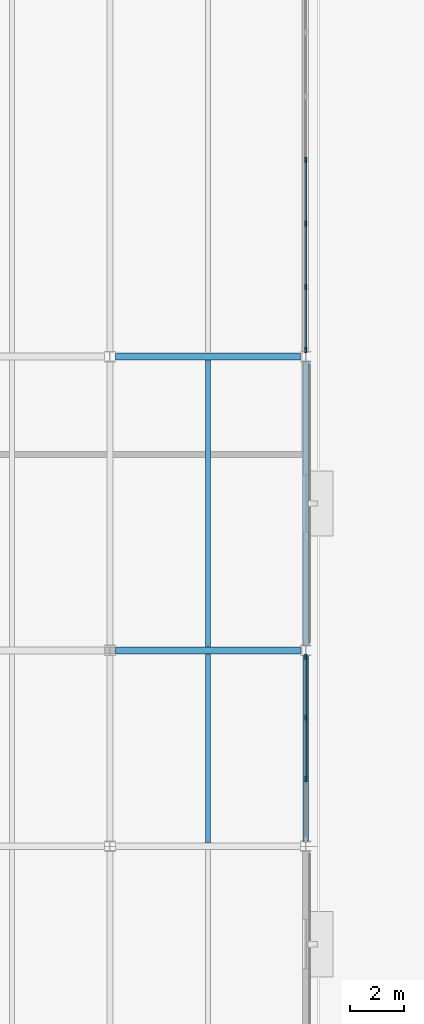
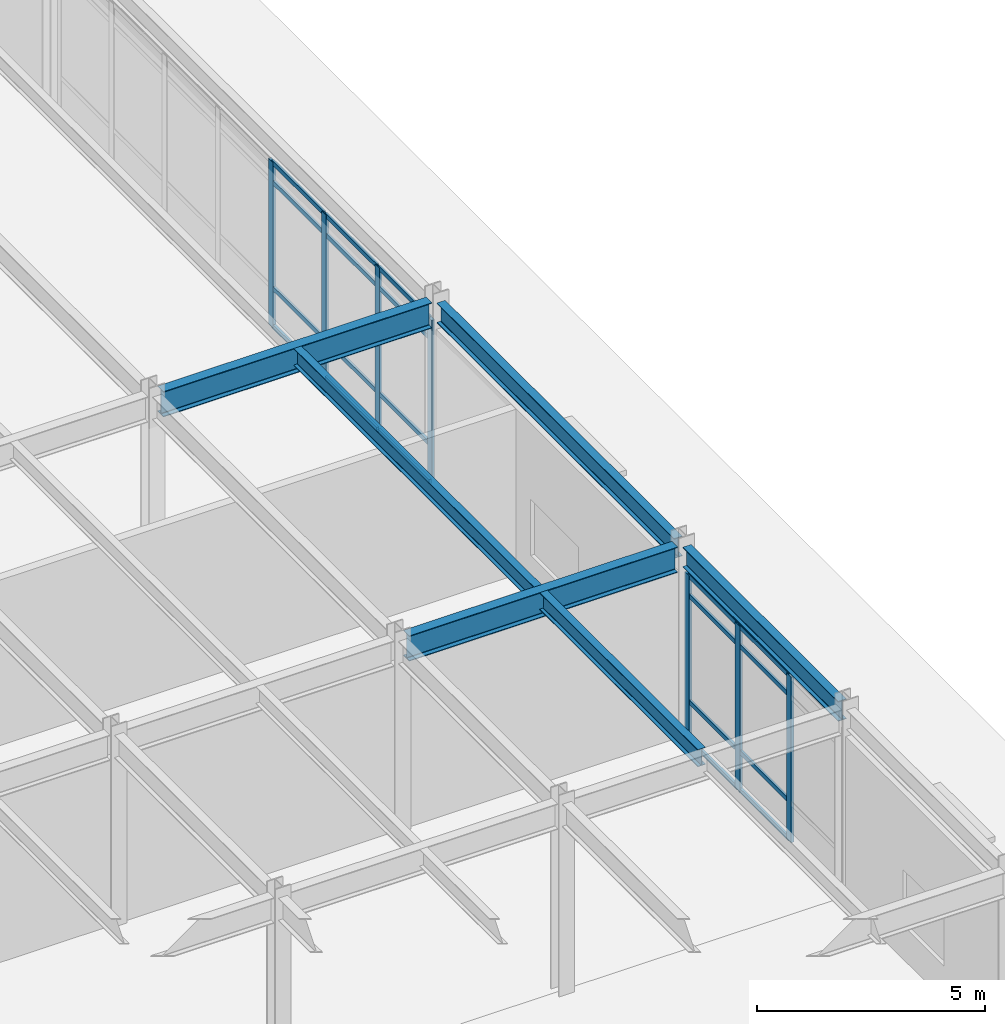
# One storey, part 48 of 104: 27 members, 6 beams, 2 elements without a shape of their own.
"""IFC4 building model written with IfcOpenShell, lengths in metres."""

import ifcopenshell
import ifcopenshell.guid

model = None  # the IFC model being written
_history = None  # IfcOwnerHistory: only IFC2X3 demands one
_inside = {}  # id of a spatial element -> (the spatial element, [elements in it])
_under = {}  # id of a project, library or spatial element -> (it, [spatial elements below it])
_declared = {}  # id of a project -> (the project, [libraries it declares])
_typed = {}  # id of a type object -> (the type object, [elements of that type])
_made_of = {}  # id of a material, layer set ... -> (it, [elements and type objects made of it])


def new_model(schema):
    """Start an empty IFC model of exactly this schema.

    Asked for "IFC4X3", IfcOpenShell would pick the latest addendum, in which some entities
    have other attributes; the version numbers below select the first issue.
    IFC2X3 requires an IfcOwnerHistory on every rooted entity: one is made here for all.
    """
    global model, _history
    if schema == "IFC4X3":
        model = ifcopenshell.file(schema_version=(4, 3, 0, 0))
    else:
        model = ifcopenshell.file(schema=schema)
    _inside.clear()
    _under.clear()
    _declared.clear()
    _typed.clear()
    _made_of.clear()
    _history = None
    if model.schema == "IFC2X3":
        org = make("IfcOrganization", Name="unknown")
        user = make(
            "IfcPersonAndOrganization",
            ThePerson=make("IfcPerson", FamilyName="unknown"),
            TheOrganization=org,
        )
        app = make(
            "IfcApplication",
            ApplicationDeveloper=org,
            Version="unknown",
            ApplicationFullName="unknown",
            ApplicationIdentifier="unknown",
        )
        _history = make(
            "IfcOwnerHistory",
            OwningUser=user,
            OwningApplication=app,
            ChangeAction="ADDED",
            CreationDate=0,
        )
    return model


def make(cls, **values):
    """One entity of the class cls with the attributes given. An attribute that is None is left unset."""
    return model.create_entity(
        cls, **{name: value for name, value in values.items() if value is not None}
    )


def rooted(cls, **values):
    """An entity with a GlobalId (a new one), such as an element, a storey or a relation."""
    return make(cls, GlobalId=ifcopenshell.guid.new(), OwnerHistory=_history, **values)


def si_unit(unit_type, name, prefix=None):
    """IfcSIUnit, for example si_unit("LENGTHUNIT", "METRE", prefix="MILLI")."""
    return make("IfcSIUnit", UnitType=unit_type, Prefix=prefix, Name=name)


def assignment(units):
    """IfcUnitAssignment: the units of a project."""
    return None if units is None else make("IfcUnitAssignment", Units=units)


def point(xyz):
    """IfcCartesianPoint."""
    return None if xyz is None else make("IfcCartesianPoint", Coordinates=xyz)


def direction(xyz):
    """IfcDirection."""
    return None if xyz is None else make("IfcDirection", DirectionRatios=xyz)


def frame(location, z_axis=None, x_axis=None):
    """IfcAxis2Placement3D, a coordinate frame: its origin and axes. An axis left out is left unset."""
    return make(
        "IfcAxis2Placement3D",
        Location=point(location),
        Axis=direction(z_axis),
        RefDirection=direction(x_axis),
    )


def frame_2d(location, x_axis=None):
    """IfcAxis2Placement2D, a coordinate frame in the plane: its origin and x axis."""
    return make(
        "IfcAxis2Placement2D", Location=point(location), RefDirection=direction(x_axis)
    )


def origin():
    """The frame at (0, 0, 0) with its axes left unset."""
    return frame((0.0, 0.0, 0.0))


def origin_2d():
    """The frame at (0, 0) in the plane with its x axis left unset."""
    return frame_2d((0.0, 0.0))


def place(relative_to, where):
    """IfcLocalPlacement: puts the frame where relative to a parent placement (None: the world)."""
    return make(
        "IfcLocalPlacement", PlacementRelTo=relative_to, RelativePlacement=where
    )


def context(
    kind, dimensions, precision=None, world=None, true_north=None, identifier=None
):
    """IfcGeometricRepresentationContext, for example the 3D "Model" context."""
    return make(
        "IfcGeometricRepresentationContext",
        ContextIdentifier=identifier,
        ContextType=kind,
        CoordinateSpaceDimension=dimensions,
        Precision=precision,
        WorldCoordinateSystem=world,
        TrueNorth=true_north,
    )


def subcontext(parent, identifier, kind, view, scale=None):
    """IfcGeometricRepresentationSubContext, for example "Body" below "Model"."""
    return make(
        "IfcGeometricRepresentationSubContext",
        ContextIdentifier=identifier,
        ContextType=kind,
        ParentContext=parent,
        TargetScale=scale,
        TargetView=view,
    )


def project(units=None, contexts=None):
    """IfcProject with its units and contexts."""
    return rooted(
        "IfcProject",
        Name="project",
        RepresentationContexts=contexts,
        UnitsInContext=assignment(units),
    )


def spatial(cls, under=None, at=None, **own):
    """A site, building, storey or space (cls), placed at a placement, below another one or the project."""
    s = rooted(cls, ObjectPlacement=at, **own)
    if under is not None:
        _under.setdefault(under.id(), (under, []))[1].append(s)
    return s


def profile(cls, at=None, kind="AREA", **sizes):
    """A parametric profile (cls). Its sizes go by their IFC names, for example OverallWidth=200.0."""
    return make(cls, ProfileType=kind, Position=at, **sizes)


def rectangle(**sizes):
    """IfcRectangleProfileDef."""
    return profile("IfcRectangleProfileDef", **sizes)


def i_section(**sizes):
    """IfcIShapeProfileDef."""
    return profile("IfcIShapeProfileDef", **sizes)


def extrude(swept, where, along, depth):
    """IfcExtrudedAreaSolid: the profile swept, set in the frame where, extruded along a direction by depth."""
    return make(
        "IfcExtrudedAreaSolid",
        SweptArea=swept,
        Position=where,
        ExtrudedDirection=direction(along),
        Depth=depth,
    )


def shape(context_of_items, identifier, shape_type, items):
    """IfcShapeRepresentation: the items that make up one representation, for example the "Body"."""
    return make(
        "IfcShapeRepresentation",
        ContextOfItems=context_of_items,
        RepresentationIdentifier=identifier,
        RepresentationType=shape_type,
        Items=items,
    )


def material(Name=None, Category=None):
    """IfcMaterial."""
    return make("IfcMaterial", Name=Name, Category=Category)


def material_profile(
    of_material, cross_section, Name=None, Category=None, Priority=None
):
    """IfcMaterialProfile: a cross section and its material."""
    return make(
        "IfcMaterialProfile",
        Name=Name,
        Material=of_material,
        Profile=cross_section,
        Priority=Priority,
        Category=Category,
    )


def profile_set(profiles, Name=None, composite=None):
    """IfcMaterialProfileSet."""
    return make(
        "IfcMaterialProfileSet",
        Name=Name,
        MaterialProfiles=profiles,
        CompositeProfile=composite,
    )


def made_of(thing, what):
    """Note that an element or type object is made of a material, layer set ...; save() writes the relation."""
    if what is not None:
        _made_of.setdefault(what.id(), (what, []))[1].append(thing)
    return thing


def type_object(cls, material=None, **own):
    """A type object (cls), such as IfcWallType, which elements share."""
    return made_of(rooted(cls, **own), material)


def element(
    cls,
    number,
    at=None,
    inside=None,
    cuts=None,
    type_object=None,
    material=None,
    context=None,
    identifier="Body",
    shape_type=None,
    held_by="IfcProductDefinitionShape",
    body=None,
    shapes=None,
    **own,
):
    """One element of the class cls, such as IfcWall. Its Tag is "e" and its number.

    at: its placement. inside: the storey or other place that contains it. cuts: it is an
    opening in that element (IfcRelVoidsElement). A single representation is given by context,
    identifier, shape_type and body (its items); several are given by shapes. held_by: the class
    of the entity that holds the representations. save() writes the other relations.
    """
    e = rooted(cls, Tag="e%d" % number, ObjectPlacement=at, **own)
    if body is not None:
        shapes = [shape(context, identifier, shape_type, body)]
    if shapes is not None:
        e.Representation = make(held_by, Representations=shapes)
    if inside is not None:
        _inside.setdefault(inside.id(), (inside, []))[1].append(e)
    if cuts is not None:
        rooted(
            "IfcRelVoidsElement", RelatingBuildingElement=cuts, RelatedOpeningElement=e
        )
    if type_object is not None:
        _typed.setdefault(type_object.id(), (type_object, []))[1].append(e)
    return made_of(e, material)


def aggregate(whole, parts):
    """IfcRelAggregates: a whole, such as a stair, and the parts it consists of."""
    return rooted("IfcRelAggregates", RelatingObject=whole, RelatedObjects=parts)


def save(model, path):
    """Write the relations noted so far, then the file.

    IfcRelAggregates (storeys below a building ...), IfcRelContainedInSpatialStructure (elements
    in a storey), IfcRelDefinesByType, IfcRelAssociatesMaterial and IfcRelDeclares: one each for
    every whole, place, type object, material and project.
    """
    for whole, parts in _under.values():
        aggregate(whole, parts)
    for where, things in _inside.values():
        rooted(
            "IfcRelContainedInSpatialStructure",
            RelatedElements=things,
            RelatingStructure=where,
        )
    for kind, things in _typed.values():
        rooted("IfcRelDefinesByType", RelatedObjects=things, RelatingType=kind)
    for what, things in _made_of.values():
        rooted("IfcRelAssociatesMaterial", RelatedObjects=things, RelatingMaterial=what)
    for by, libraries in _declared.values():
        rooted("IfcRelDeclares", RelatingContext=by, RelatedDefinitions=libraries)
    model.write(path)


model = new_model("IFC4")

# Units and contexts
model_context = context("Model", 3, precision=1e-05, world=origin(), true_north=direction((0.0, 1.0)))
body_context = subcontext(model_context, "Body", "Model", "MODEL_VIEW")
ifc_project = project(units=[si_unit("LENGTHUNIT", "METRE"), si_unit("AREAUNIT", "SQUARE_METRE"), si_unit("VOLUMEUNIT", "CUBIC_METRE"), si_unit("PLANEANGLEUNIT", "RADIAN"), si_unit("MASSUNIT", "GRAM", prefix="KILO")], contexts=[model_context])

# Site, building, storey
site_placement = place(None, origin())
site = spatial("IfcSite", under=ifc_project, at=site_placement, CompositionType="ELEMENT")
building_placement = place(site_placement, origin())
building = spatial("IfcBuilding", under=site, at=building_placement, Name="Vaelcorin Mobility Hub", CompositionType="ELEMENT")
storey_placement = place(building_placement, origin())
storey = spatial("IfcBuildingStorey", under=building, at=storey_placement, Name="L00", CompositionType="ELEMENT", Elevation=0.0)

# Beams
ifc_material_1 = material(Name="Steel ASTM A992 Grade 50", Category="steel")
ifc_material_profile_1 = material_profile(ifc_material_1, i_section(OverallWidth=0.19091796875, OverallDepth=0.4599609375, WebThickness=0.010009765625, FlangeThickness=0.01611328125, FilletRadius=0.012939453125, at=origin_2d()), Name="W18X55")
ifc_profile_set_1 = profile_set([ifc_material_profile_1], Name="Steel ASTM A992 Grade 50")
beam_type_1 = type_object("IfcBeamType", Name="BM-W18X55", PredefinedType="JOIST", material=ifc_profile_set_1)
beam_1_placement = place(storey_placement, frame((200.39990234375, 42.125, 4.909912109375), z_axis=(0.0, 1.0, 0.0), x_axis=(-1.0, 0.0, 0.0)))
element("IfcBeam", 1, at=beam_1_placement, inside=storey, type_object=beam_type_1, Name="L00 Beam V5-L00-J-07-06-1", PredefinedType="JOIST", context=body_context, shape_type="SweptSolid", body=[
    extrude(i_section(OverallWidth=0.19091796875, OverallDepth=0.4599609375, WebThickness=0.010009765625, FlangeThickness=0.01611328125, FilletRadius=0.012939453125, at=origin_2d()), origin(), (0.0, 0.0, 1.0), 6.949951171875),
])
beam_2_placement = place(storey_placement, frame((200.39990234375, 49.324951171875, 4.909912109375), z_axis=(0.0, 1.0, 0.0), x_axis=(-1.0, 0.0, 0.0)))
element("IfcBeam", 2, at=beam_2_placement, inside=storey, type_object=beam_type_1, Name="L00 Beam V5-L00-J-07-07-1", PredefinedType="JOIST", context=body_context, shape_type="SweptSolid", body=[
    extrude(i_section(OverallWidth=0.19091796875, OverallDepth=0.4599609375, WebThickness=0.010009765625, FlangeThickness=0.01611328125, FilletRadius=0.012939453125, at=origin_2d()), origin(), (0.0, 0.0, 1.0), 10.550048828125),
])
ifc_material_profile_2 = material_profile(ifc_material_1, i_section(OverallWidth=0.2099609375, OverallDepth=0.535888671875, WebThickness=0.010986328125, FlangeThickness=0.017333984375, FilletRadius=0.013916015625, at=origin_2d()), Name="W21X68")
ifc_profile_set_2 = profile_set([ifc_material_profile_2], Name="Steel ASTM A992 Grade 50")
beam_type_2 = type_object("IfcBeamType", Name="BM-W21X68", PredefinedType="SPANDREL", material=ifc_profile_set_2)
beam_3_placement = place(storey_placement, frame((204.0, 42.18798828125, 4.8720703125), z_axis=(0.0, 1.0, 0.0), x_axis=(-1.0, 0.0, 0.0)))
element("IfcBeam", 3, at=beam_3_placement, inside=storey, type_object=beam_type_2, Name="L00 Beam V5-L00-GY-08-06", PredefinedType="SPANDREL", context=body_context, shape_type="SweptSolid", body=[
    extrude(i_section(OverallWidth=0.2099609375, OverallDepth=0.535888671875, WebThickness=0.010986328125, FlangeThickness=0.017333984375, FilletRadius=0.013916015625, at=origin_2d()), origin(), (0.0, 0.0, 1.0), 6.823974609375),
])
beam_4_placement = place(storey_placement, frame((204.0, 49.387939453125, 4.8720703125), z_axis=(0.0, 1.0, 0.0), x_axis=(-1.0, 0.0, 0.0)))
element("IfcBeam", 4, at=beam_4_placement, inside=storey, type_object=beam_type_2, Name="L00 Beam V5-L00-GY-08-07", PredefinedType="SPANDREL", context=body_context, shape_type="SweptSolid", body=[
    extrude(i_section(OverallWidth=0.2099609375, OverallDepth=0.535888671875, WebThickness=0.010986328125, FlangeThickness=0.017333984375, FilletRadius=0.013916015625, at=origin_2d()), origin(), (0.0, 0.0, 1.0), 10.424072265625),
])
ifc_material_profile_3 = material_profile(ifc_material_1, i_section(OverallWidth=0.25390625, OverallDepth=0.68310546875, WebThickness=0.012451171875, FlangeThickness=0.018798828125, FilletRadius=0.01611328125, at=origin_2d()), Name="W27X94")
ifc_profile_set_3 = profile_set([ifc_material_profile_3], Name="Steel ASTM A992 Grade 50")
beam_type_3 = type_object("IfcBeamType", Name="BM-W27X94", PredefinedType="BEAM", material=ifc_profile_set_3)
for number, where, z_axis, x_axis, name in (
    (5, (196.99609375, 49.199951171875, 4.798095703125), (1.0, 0.0, 0.0), (0.0, 1.0, 0.0), "L00 Beam V5-L00-GX-07-07"),
    (6, (196.99609375, 60.0, 4.798095703125), (1.0, 0.0, 0.0), (0.0, 1.0, 0.0), "L00 Beam V5-L00-GX-08-07"),
):
    element("IfcBeam", number, at=place(storey_placement, frame(where, z_axis=z_axis, x_axis=x_axis)), inside=storey, type_object=beam_type_3, Name=name, PredefinedType="BEAM", context=body_context, shape_type="SweptSolid", body=[
        extrude(i_section(OverallWidth=0.25390625, OverallDepth=0.68310546875, WebThickness=0.012451171875, FlangeThickness=0.018798828125, FilletRadius=0.01611328125, at=origin_2d()), origin(), (0.0, 0.0, 1.0), 6.807861328125),
    ])

# Curtain wall, members
ifc_material_2 = material(Name="Anodised aluminium 6063-T6", Category="aluminium")
curtain_wall_type = type_object("IfcCurtainWallType", Name="CW-MOB-A", PredefinedType="NOTDEFINED", material=ifc_material_2)
curtain_wall_1_placement = place(storey_placement, origin())
curtain_wall_1 = element("IfcCurtainWall", 7, at=curtain_wall_1_placement, inside=storey, type_object=curtain_wall_type, Name="L00 Curtain Wall CW-V5-L00-E-06", PredefinedType="NOTDEFINED")
ifc_material_profile_4 = material_profile(ifc_material_2, rectangle(XDim=0.070068359375, YDim=0.199951171875, at=origin_2d()), Name="ALU-M70X200")
ifc_profile_set_4 = profile_set([ifc_material_profile_4], Name="Anodised aluminium 6063-T6")
member_type_1 = type_object("IfcMemberType", Name="CW-MULL-200", PredefinedType="MULLION", material=ifc_profile_set_4)
member_1_placement = place(storey_placement, frame((204.0, 48.949951171875, 0.0), z_axis=(0.0, 0.0, 1.0), x_axis=(1.0, 0.0, 0.0)))
member_1 = element("IfcMember", 8, at=member_1_placement, type_object=member_type_1, Name="CW7 mullion 1", PredefinedType="MULLION", context=body_context, shape_type="SweptSolid", body=[
    extrude(rectangle(XDim=0.070068359375, YDim=0.199951171875, at=origin_2d()), origin(), (0.0, 0.0, 1.0), 4.44189453125),
])
member_2_placement = place(storey_placement, frame((204.0, 46.7265625, 0.0), z_axis=(0.0, 0.0, 1.0), x_axis=(1.0, 0.0, 0.0)))
member_2 = element("IfcMember", 9, at=member_2_placement, type_object=member_type_1, Name="CW7 mullion 2", PredefinedType="MULLION", context=body_context, shape_type="SweptSolid", body=[
    extrude(rectangle(XDim=0.070068359375, YDim=0.199951171875, at=origin_2d()), origin(), (0.0, 0.0, 1.0), 4.44189453125),
])
member_3_placement = place(storey_placement, frame((204.0, 44.473388671875, 0.0), z_axis=(0.0, 0.0, 1.0), x_axis=(1.0, 0.0, 0.0)))
member_3 = element("IfcMember", 10, at=member_3_placement, type_object=member_type_1, Name="CW7 mullion 3", PredefinedType="MULLION", context=body_context, shape_type="SweptSolid", body=[
    extrude(rectangle(XDim=0.070068359375, YDim=0.199951171875, at=origin_2d()), origin(), (0.0, 0.0, 1.0), 4.44189453125),
])

curtain_wall_2_placement = place(storey_placement, origin())
curtain_wall_2 = element("IfcCurtainWall", 11, at=curtain_wall_2_placement, inside=storey, type_object=curtain_wall_type, Name="L00 Curtain Wall CW-V5-L00-E-08", PredefinedType="NOTDEFINED")
member_4_placement = place(storey_placement, frame((204.0, 67.2314453125, 0.0), z_axis=(0.0, 0.0, 1.0), x_axis=(1.0, 0.0, 0.0)))
member_4 = element("IfcMember", 12, at=member_4_placement, type_object=member_type_1, Name="CW7 mullion 5", PredefinedType="MULLION", context=body_context, shape_type="SweptSolid", body=[
    extrude(rectangle(XDim=0.070068359375, YDim=0.199951171875, at=origin_2d()), origin(), (0.0, 0.0, 1.0), 4.44189453125),
])
member_5_placement = place(storey_placement, frame((204.0, 64.894287109375, 0.0), z_axis=(0.0, 0.0, 1.0), x_axis=(1.0, 0.0, 0.0)))
member_5 = element("IfcMember", 13, at=member_5_placement, type_object=member_type_1, Name="CW7 mullion 6", PredefinedType="MULLION", context=body_context, shape_type="SweptSolid", body=[
    extrude(rectangle(XDim=0.070068359375, YDim=0.199951171875, at=origin_2d()), origin(), (0.0, 0.0, 1.0), 4.44189453125),
])
member_6_placement = place(storey_placement, frame((204.0, 62.55712890625, 0.0), z_axis=(0.0, 0.0, 1.0), x_axis=(1.0, 0.0, 0.0)))
member_6 = element("IfcMember", 14, at=member_6_placement, type_object=member_type_1, Name="CW7 mullion 7", PredefinedType="MULLION", context=body_context, shape_type="SweptSolid", body=[
    extrude(rectangle(XDim=0.070068359375, YDim=0.199951171875, at=origin_2d()), origin(), (0.0, 0.0, 1.0), 4.44189453125),
])
member_7_placement = place(storey_placement, frame((204.0, 60.25, 0.0), z_axis=(0.0, 0.0, 1.0), x_axis=(1.0, 0.0, 0.0)))
member_7 = element("IfcMember", 15, at=member_7_placement, type_object=member_type_1, Name="CW7 mullion 8", PredefinedType="MULLION", context=body_context, shape_type="SweptSolid", body=[
    extrude(rectangle(XDim=0.070068359375, YDim=0.199951171875, at=origin_2d()), origin(), (0.0, 0.0, 1.0), 4.44189453125),
])

# Member
ifc_material_profile_5 = material_profile(ifc_material_2, rectangle(XDim=0.06005859375, YDim=0.1201171875, at=origin_2d()), Name="ALU-T60X120")
ifc_profile_set_5 = profile_set([ifc_material_profile_5], Name="Anodised aluminium 6063-T6")
member_type_2 = type_object("IfcMemberType", Name="CW-TRAN-140", PredefinedType="USERDEFINED", material=ifc_profile_set_5)
member_8_placement = place(storey_placement, frame((204.0, 48.919921875, 0.030029296875), z_axis=(0.0, -1.0, 0.0), x_axis=(1.0, 0.0, 0.0)))
member_8 = element("IfcMember", 16, at=member_8_placement, type_object=member_type_2, Name="CW7 transom 1.1", ObjectType="TRANSOM", PredefinedType="USERDEFINED", context=body_context, shape_type="SweptSolid", body=[
    extrude(rectangle(XDim=0.06005859375, YDim=0.1201171875, at=origin_2d()), origin(), (0.0, 0.0, 1.0), 2.163330078125),
])

member_9_placement = place(storey_placement, frame((204.0, 48.919921875, 1.050048828125), z_axis=(0.0, -1.0, 0.0), x_axis=(1.0, 0.0, 0.0)))
member_9 = element("IfcMember", 17, at=member_9_placement, type_object=member_type_2, Name="CW7 transom 1.2", ObjectType="TRANSOM", PredefinedType="USERDEFINED", context=body_context, shape_type="SweptSolid", body=[
    extrude(rectangle(XDim=0.06005859375, YDim=0.1201171875, at=origin_2d()), origin(), (0.0, 0.0, 1.0), 2.163330078125),
])

member_10_placement = place(storey_placement, frame((204.0, 48.919921875, 3.89208984375), z_axis=(0.0, -1.0, 0.0), x_axis=(1.0, 0.0, 0.0)))
member_10 = element("IfcMember", 18, at=member_10_placement, type_object=member_type_2, Name="CW7 transom 1.3", ObjectType="TRANSOM", PredefinedType="USERDEFINED", context=body_context, shape_type="SweptSolid", body=[
    extrude(rectangle(XDim=0.06005859375, YDim=0.1201171875, at=origin_2d()), origin(), (0.0, 0.0, 1.0), 2.163330078125),
])

member_11_placement = place(storey_placement, frame((204.0, 48.919921875, 4.412109375), z_axis=(0.0, -1.0, 0.0), x_axis=(1.0, 0.0, 0.0)))
member_11 = element("IfcMember", 19, at=member_11_placement, type_object=member_type_2, Name="CW7 transom 1.4", ObjectType="TRANSOM", PredefinedType="USERDEFINED", context=body_context, shape_type="SweptSolid", body=[
    extrude(rectangle(XDim=0.06005859375, YDim=0.1201171875, at=origin_2d()), origin(), (0.0, 0.0, 1.0), 2.163330078125),
])

member_12_placement = place(storey_placement, frame((204.0, 46.69677734375, 0.030029296875), z_axis=(0.0, -1.0, 0.0), x_axis=(1.0, 0.0, 0.0)))
member_12 = element("IfcMember", 20, at=member_12_placement, type_object=member_type_2, Name="CW7 transom 2.1", ObjectType="TRANSOM", PredefinedType="USERDEFINED", context=body_context, shape_type="SweptSolid", body=[
    extrude(rectangle(XDim=0.06005859375, YDim=0.1201171875, at=origin_2d()), origin(), (0.0, 0.0, 1.0), 2.193359375),
])

member_13_placement = place(storey_placement, frame((204.0, 46.69677734375, 1.050048828125), z_axis=(0.0, -1.0, 0.0), x_axis=(1.0, 0.0, 0.0)))
member_13 = element("IfcMember", 21, at=member_13_placement, type_object=member_type_2, Name="CW7 transom 2.2", ObjectType="TRANSOM", PredefinedType="USERDEFINED", context=body_context, shape_type="SweptSolid", body=[
    extrude(rectangle(XDim=0.06005859375, YDim=0.1201171875, at=origin_2d()), origin(), (0.0, 0.0, 1.0), 2.193359375),
])

member_14_placement = place(storey_placement, frame((204.0, 46.69677734375, 3.89208984375), z_axis=(0.0, -1.0, 0.0), x_axis=(1.0, 0.0, 0.0)))
member_14 = element("IfcMember", 22, at=member_14_placement, type_object=member_type_2, Name="CW7 transom 2.3", ObjectType="TRANSOM", PredefinedType="USERDEFINED", context=body_context, shape_type="SweptSolid", body=[
    extrude(rectangle(XDim=0.06005859375, YDim=0.1201171875, at=origin_2d()), origin(), (0.0, 0.0, 1.0), 2.193359375),
])

member_15_placement = place(storey_placement, frame((204.0, 46.69677734375, 4.412109375), z_axis=(0.0, -1.0, 0.0), x_axis=(1.0, 0.0, 0.0)))
member_15 = element("IfcMember", 23, at=member_15_placement, type_object=member_type_2, Name="CW7 transom 2.4", ObjectType="TRANSOM", PredefinedType="USERDEFINED", context=body_context, shape_type="SweptSolid", body=[
    extrude(rectangle(XDim=0.06005859375, YDim=0.1201171875, at=origin_2d()), origin(), (0.0, 0.0, 1.0), 2.193359375),
])

aggregate(curtain_wall_1, [member_1, member_2, member_3, member_8, member_9, member_10, member_11, member_12, member_13, member_14, member_15])

member_16_placement = place(storey_placement, frame((204.0, 67.201416015625, 0.030029296875), z_axis=(0.0, -1.0, 0.0), x_axis=(1.0, 0.0, 0.0)))
member_16 = element("IfcMember", 24, at=member_16_placement, type_object=member_type_2, Name="CW7 transom 5.1", ObjectType="TRANSOM", PredefinedType="USERDEFINED", context=body_context, shape_type="SweptSolid", body=[
    extrude(rectangle(XDim=0.06005859375, YDim=0.1201171875, at=origin_2d()), origin(), (0.0, 0.0, 1.0), 2.277099609375),
])

member_17_placement = place(storey_placement, frame((204.0, 67.201416015625, 1.050048828125), z_axis=(0.0, -1.0, 0.0), x_axis=(1.0, 0.0, 0.0)))
member_17 = element("IfcMember", 25, at=member_17_placement, type_object=member_type_2, Name="CW7 transom 5.2", ObjectType="TRANSOM", PredefinedType="USERDEFINED", context=body_context, shape_type="SweptSolid", body=[
    extrude(rectangle(XDim=0.06005859375, YDim=0.1201171875, at=origin_2d()), origin(), (0.0, 0.0, 1.0), 2.277099609375),
])

member_18_placement = place(storey_placement, frame((204.0, 67.201416015625, 3.89208984375), z_axis=(0.0, -1.0, 0.0), x_axis=(1.0, 0.0, 0.0)))
member_18 = element("IfcMember", 26, at=member_18_placement, type_object=member_type_2, Name="CW7 transom 5.3", ObjectType="TRANSOM", PredefinedType="USERDEFINED", context=body_context, shape_type="SweptSolid", body=[
    extrude(rectangle(XDim=0.06005859375, YDim=0.1201171875, at=origin_2d()), origin(), (0.0, 0.0, 1.0), 2.277099609375),
])

member_19_placement = place(storey_placement, frame((204.0, 67.201416015625, 4.412109375), z_axis=(0.0, -1.0, 0.0), x_axis=(1.0, 0.0, 0.0)))
member_19 = element("IfcMember", 27, at=member_19_placement, type_object=member_type_2, Name="CW7 transom 5.4", ObjectType="TRANSOM", PredefinedType="USERDEFINED", context=body_context, shape_type="SweptSolid", body=[
    extrude(rectangle(XDim=0.06005859375, YDim=0.1201171875, at=origin_2d()), origin(), (0.0, 0.0, 1.0), 2.277099609375),
])

member_20_placement = place(storey_placement, frame((204.0, 64.8642578125, 0.030029296875), z_axis=(0.0, -1.0, 0.0), x_axis=(1.0, 0.0, 0.0)))
member_20 = element("IfcMember", 28, at=member_20_placement, type_object=member_type_2, Name="CW7 transom 6.1", ObjectType="TRANSOM", PredefinedType="USERDEFINED", context=body_context, shape_type="SweptSolid", body=[
    extrude(rectangle(XDim=0.06005859375, YDim=0.1201171875, at=origin_2d()), origin(), (0.0, 0.0, 1.0), 2.277099609375),
])

member_21_placement = place(storey_placement, frame((204.0, 64.8642578125, 1.050048828125), z_axis=(0.0, -1.0, 0.0), x_axis=(1.0, 0.0, 0.0)))
member_21 = element("IfcMember", 29, at=member_21_placement, type_object=member_type_2, Name="CW7 transom 6.2", ObjectType="TRANSOM", PredefinedType="USERDEFINED", context=body_context, shape_type="SweptSolid", body=[
    extrude(rectangle(XDim=0.06005859375, YDim=0.1201171875, at=origin_2d()), origin(), (0.0, 0.0, 1.0), 2.277099609375),
])

member_22_placement = place(storey_placement, frame((204.0, 64.8642578125, 3.89208984375), z_axis=(0.0, -1.0, 0.0), x_axis=(1.0, 0.0, 0.0)))
member_22 = element("IfcMember", 30, at=member_22_placement, type_object=member_type_2, Name="CW7 transom 6.3", ObjectType="TRANSOM", PredefinedType="USERDEFINED", context=body_context, shape_type="SweptSolid", body=[
    extrude(rectangle(XDim=0.06005859375, YDim=0.1201171875, at=origin_2d()), origin(), (0.0, 0.0, 1.0), 2.277099609375),
])

member_23_placement = place(storey_placement, frame((204.0, 64.8642578125, 4.412109375), z_axis=(0.0, -1.0, 0.0), x_axis=(1.0, 0.0, 0.0)))
member_23 = element("IfcMember", 31, at=member_23_placement, type_object=member_type_2, Name="CW7 transom 6.4", ObjectType="TRANSOM", PredefinedType="USERDEFINED", context=body_context, shape_type="SweptSolid", body=[
    extrude(rectangle(XDim=0.06005859375, YDim=0.1201171875, at=origin_2d()), origin(), (0.0, 0.0, 1.0), 2.277099609375),
])

member_24_placement = place(storey_placement, frame((204.0, 62.527099609375, 0.030029296875), z_axis=(0.0, -1.0, 0.0), x_axis=(1.0, 0.0, 0.0)))
member_24 = element("IfcMember", 32, at=member_24_placement, type_object=member_type_2, Name="CW7 transom 7.1", ObjectType="TRANSOM", PredefinedType="USERDEFINED", context=body_context, shape_type="SweptSolid", body=[
    extrude(rectangle(XDim=0.06005859375, YDim=0.1201171875, at=origin_2d()), origin(), (0.0, 0.0, 1.0), 2.2470703125),
])

member_25_placement = place(storey_placement, frame((204.0, 62.527099609375, 1.050048828125), z_axis=(0.0, -1.0, 0.0), x_axis=(1.0, 0.0, 0.0)))
member_25 = element("IfcMember", 33, at=member_25_placement, type_object=member_type_2, Name="CW7 transom 7.2", ObjectType="TRANSOM", PredefinedType="USERDEFINED", context=body_context, shape_type="SweptSolid", body=[
    extrude(rectangle(XDim=0.06005859375, YDim=0.1201171875, at=origin_2d()), origin(), (0.0, 0.0, 1.0), 2.2470703125),
])

member_26_placement = place(storey_placement, frame((204.0, 62.527099609375, 3.89208984375), z_axis=(0.0, -1.0, 0.0), x_axis=(1.0, 0.0, 0.0)))
member_26 = element("IfcMember", 34, at=member_26_placement, type_object=member_type_2, Name="CW7 transom 7.3", ObjectType="TRANSOM", PredefinedType="USERDEFINED", context=body_context, shape_type="SweptSolid", body=[
    extrude(rectangle(XDim=0.06005859375, YDim=0.1201171875, at=origin_2d()), origin(), (0.0, 0.0, 1.0), 2.2470703125),
])

member_27_placement = place(storey_placement, frame((204.0, 62.527099609375, 4.412109375), z_axis=(0.0, -1.0, 0.0), x_axis=(1.0, 0.0, 0.0)))
member_27 = element("IfcMember", 35, at=member_27_placement, type_object=member_type_2, Name="CW7 transom 7.4", ObjectType="TRANSOM", PredefinedType="USERDEFINED", context=body_context, shape_type="SweptSolid", body=[
    extrude(rectangle(XDim=0.06005859375, YDim=0.1201171875, at=origin_2d()), origin(), (0.0, 0.0, 1.0), 2.2470703125),
])

aggregate(curtain_wall_2, [member_4, member_5, member_6, member_7, member_16, member_17, member_18, member_19, member_20, member_21, member_22, member_23, member_24, member_25, member_26, member_27])

save(model, "model.ifc")
